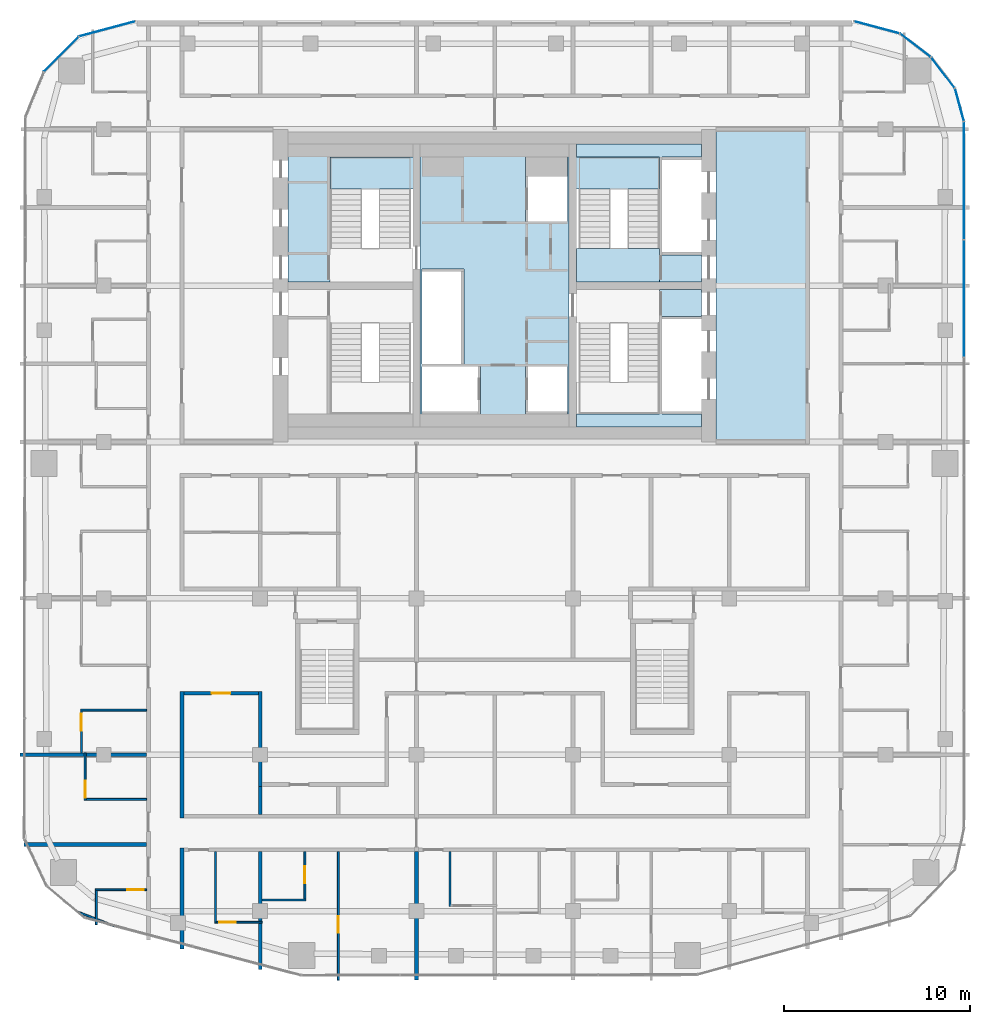
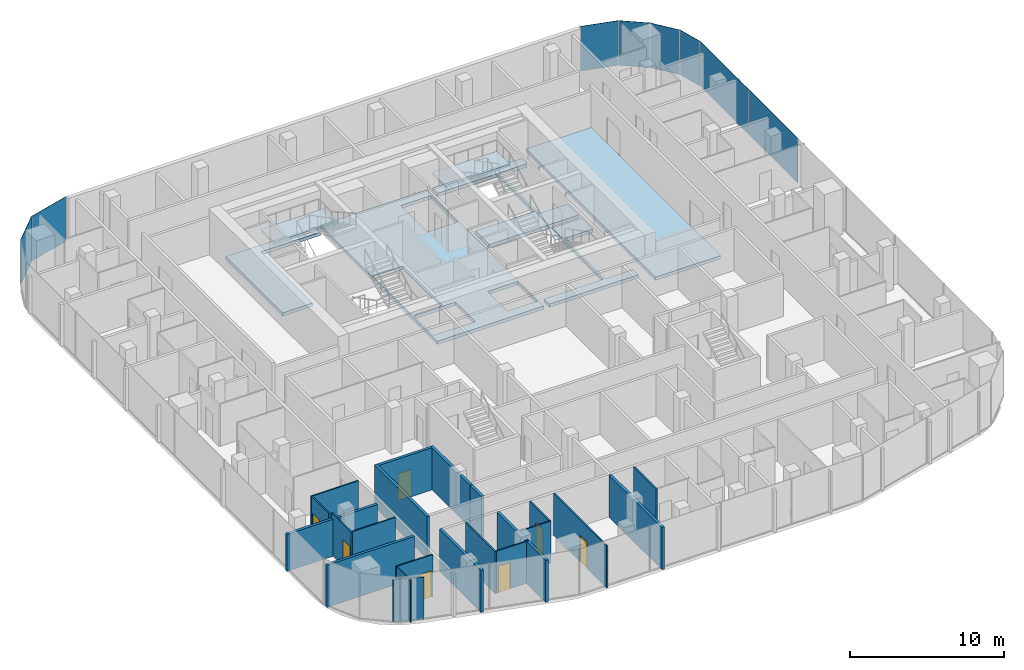
# One storey, part 13 of 22: 22 walls, 8 plates, 8 slabs, 7 doors, 7 openings, 9 elements without a shape of their own.
"""IFC4 building model written with IfcOpenShell, lengths in metres."""

from ifc_helpers import new_model, si_unit, direction, frame, frame_2d, origin, origin_2d, place, context, subcontext, project, spatial, polyline, rectangle, outline, extrude, material, layer, layer_set, type_object, element, fill, aggregate, save


model = new_model("IFC4")

# Units and contexts
model_context = context("Model", 3, precision=1e-05, world=origin(), true_north=direction((0.0, 1.0)))
body_context = subcontext(model_context, "Body", "Model", "MODEL_VIEW")
ifc_project = project(units=[si_unit("LENGTHUNIT", "METRE"), si_unit("AREAUNIT", "SQUARE_METRE"), si_unit("VOLUMEUNIT", "CUBIC_METRE"), si_unit("PLANEANGLEUNIT", "RADIAN"), si_unit("MASSUNIT", "GRAM", prefix="KILO")], contexts=[model_context])

# Site, building, storey
site_placement = place(None, origin())
site = spatial("IfcSite", under=ifc_project, at=site_placement, CompositionType="ELEMENT")
building_placement = place(site_placement, origin())
building = spatial("IfcBuilding", under=site, at=building_placement, Name="Marenta Gate Hotel Tower", CompositionType="ELEMENT")
storey_placement = place(building_placement, frame((0.0, 0.0, 230.89990234375)))
storey = spatial("IfcBuildingStorey", under=building, at=storey_placement, Name="L54", CompositionType="ELEMENT", Elevation=230.89990234375)

# Slabs
ifc_material_1 = material(Name="Concrete C40", Category="concrete")
ifc_layer_1 = layer(ifc_material_1, 0.260009765625)
ifc_layer_set_1 = layer_set([ifc_layer_1], Name="Concrete C40")
slab_type_1 = type_object("IfcSlabType", Name="Core floor slab 260", PredefinedType="FLOOR", material=ifc_layer_set_1)
slab_1_placement = place(storey_placement, frame((0.0, 0.0, -0.260009765625)))
element("IfcSlab", 1, at=slab_1_placement, inside=storey, type_object=slab_type_1, Name="L54-CF-1", PredefinedType="FLOOR", context=body_context, shape_type="SweptSolid", body=[
    extrude(outline(polyline([(11.89990234375, 0.0), (11.89990234375, 16.800048828125), (16.800048828125, 16.800048828125), (16.800048828125, 0.0), (11.89990234375, 0.0)])), origin(), (0.0, 0.0, 1.0), 0.260009765625),
])
slab_2_placement = place(storey_placement, frame((0.0, 0.0, -0.260009765625)))
element("IfcSlab", 2, at=slab_2_placement, inside=storey, type_object=slab_type_1, Name="L54-CF-2", PredefinedType="FLOOR", context=body_context, shape_type="SweptSolid", body=[
    extrude(outline(polyline([(8.85009765625, 1.5), (8.85009765625, 6.39990234375), (8.85009765625, 8.10009765625), (8.85009765625, 8.199951171875), (11.10009765625, 8.199951171875), (11.10009765625, 6.75), (9.0, 6.75), (9.0, 6.60009765625), (9.0, 4.199951171875), (9.0, 4.050048828125), (9.0, 1.64990234375), (9.0, 1.5), (11.10009765625, 1.5), (11.10009765625, 0.800048828125), (4.39990234375, 0.800048828125), (4.39990234375, 1.5), (8.85009765625, 1.5)])), origin(), (0.0, 0.0, 1.0), 0.260009765625),
])
slab_3_placement = place(storey_placement, frame((0.0, 0.0, -0.260009765625)))
element("IfcSlab", 3, at=slab_3_placement, inside=storey, type_object=slab_type_1, Name="L54-CF-3", PredefinedType="FLOOR", context=body_context, shape_type="SweptSolid", body=[
    extrude(outline(polyline([(8.85009765625, 15.300048828125), (4.39990234375, 15.300048828125), (4.39990234375, 16.0), (11.10009765625, 16.0), (11.10009765625, 15.300048828125), (9.0, 15.300048828125), (9.0, 15.14990234375), (9.0, 12.75), (9.0, 12.60009765625), (9.0, 10.199951171875), (9.0, 10.050048828125), (11.10009765625, 10.050048828125), (11.10009765625, 8.60009765625), (8.85009765625, 8.60009765625), (8.85009765625, 8.699951171875), (8.85009765625, 10.39990234375), (8.85009765625, 15.300048828125)])), origin(), (0.0, 0.0, 1.0), 0.260009765625),
])
slab_4_placement = place(storey_placement, frame((0.0, 0.0, -0.260009765625)))
element("IfcSlab", 4, at=slab_4_placement, inside=storey, type_object=slab_type_1, Name="L54-CF-4", PredefinedType="FLOOR", context=body_context, shape_type="SweptSolid", body=[
    extrude(outline(polyline([(4.0, 15.300048828125), (4.0, 10.39990234375), (4.0, 6.39990234375), (4.0, 1.5), (4.0, 0.800048828125), (-4.0, 0.800048828125), (-4.0, 1.5), (-4.0, 6.39990234375), (-4.0, 10.39990234375), (-4.0, 15.300048828125), (-4.0, 16.0), (4.0, 16.0), (4.0, 15.300048828125)]), holes=[polyline([(1.64990234375, 14.25), (1.64990234375, 11.85009765625), (1.800048828125, 11.85009765625), (3.89990234375, 11.85009765625), (3.89990234375, 14.25), (3.89990234375, 15.300048828125), (1.64990234375, 15.300048828125), (1.64990234375, 14.25)]), polyline([(3.89990234375, 1.64990234375), (3.89990234375, 4.050048828125), (1.800048828125, 4.050048828125), (1.64990234375, 4.050048828125), (1.64990234375, 1.64990234375), (1.64990234375, 1.5), (3.89990234375, 1.5), (3.89990234375, 1.64990234375)]), polyline([(-3.89990234375, 1.64990234375), (-3.89990234375, 1.5), (-0.89990234375, 1.5), (-0.75, 1.5), (-0.75, 4.050048828125), (-0.89990234375, 4.050048828125), (-3.89990234375, 4.050048828125), (-3.89990234375, 1.64990234375)]), polyline([(-1.800048828125, 4.199951171875), (-1.64990234375, 4.199951171875), (-1.64990234375, 9.14990234375), (-1.64990234375, 9.300048828125), (-3.89990234375, 9.300048828125), (-3.89990234375, 9.14990234375), (-3.89990234375, 6.75), (-3.89990234375, 6.60009765625), (-3.89990234375, 4.199951171875), (-1.800048828125, 4.199951171875)])]), origin(), (0.0, 0.0, 1.0), 0.260009765625),
])
slab_5_placement = place(storey_placement, frame((0.0, 0.0, -0.260009765625)))
element("IfcSlab", 5, at=slab_5_placement, inside=storey, type_object=slab_type_1, Name="L54-CF-6", PredefinedType="FLOOR", context=body_context, shape_type="SweptSolid", body=[
    extrude(outline(polyline([(-4.39990234375, 15.300048828125), (-8.85009765625, 15.300048828125), (-8.85009765625, 10.39990234375), (-8.85009765625, 8.699951171875), (-8.85009765625, 8.60009765625), (-11.10009765625, 8.60009765625), (-11.10009765625, 16.0), (-4.39990234375, 16.0), (-4.39990234375, 15.300048828125)])), origin(), (0.0, 0.0, 1.0), 0.260009765625),
])

# Stair, slab
ifc_material_2 = material(Name="Concrete C40", Category="concrete")
stair_type = type_object("IfcStairType", Name="Core exit stair 1700 wide", PredefinedType="HALF_TURN_STAIR", material=ifc_material_2)
stair_1_placement = place(storey_placement, origin())
stair_1 = element("IfcStair", 6, at=stair_1_placement, inside=storey, type_object=stair_type, Name="Exit stair 2", PredefinedType="HALF_TURN_STAIR")
ifc_material_3 = material(Name="Concrete C40", Category="concrete")
ifc_layer_2 = layer(ifc_material_3, 0.199951171875)
ifc_layer_set_2 = layer_set([ifc_layer_2], Name="Concrete C40")
slab_type_2 = type_object("IfcSlabType", Name="Core stair landing 200", PredefinedType="LANDING", material=ifc_layer_set_2)
slab_6_placement = place(storey_placement, frame((0.0, 0.0, 1.60009765625)))
slab_6 = element("IfcSlab", 7, at=slab_6_placement, type_object=slab_type_2, Name="SL-200 ST2 landing 1", PredefinedType="LANDING", context=body_context, shape_type="SweptSolid", body=[
    extrude(outline(polyline([(-8.85009765625, 13.590087890625), (-4.0, 13.590087890625), (-4.0, 15.300048828125), (-8.85009765625, 15.300048828125), (-8.85009765625, 13.590087890625)])), origin(), (0.0, 0.0, 1.0), 0.199951171875),
])
aggregate(stair_1, [slab_6])

stair_2_placement = place(storey_placement, origin())
stair_2 = element("IfcStair", 8, at=stair_2_placement, inside=storey, type_object=stair_type, Name="Exit stair 4", PredefinedType="HALF_TURN_STAIR")
slab_7_placement = place(storey_placement, frame((0.0, 0.0, 1.60009765625)))
slab_7 = element("IfcSlab", 9, at=slab_7_placement, type_object=slab_type_2, Name="SL-200 ST4 landing 1", PredefinedType="LANDING", context=body_context, shape_type="SweptSolid", body=[
    extrude(outline(polyline([(4.0, 13.590087890625), (8.85009765625, 13.590087890625), (8.85009765625, 15.300048828125), (4.0, 15.300048828125), (4.0, 13.590087890625)])), origin(), (0.0, 0.0, 1.0), 0.199951171875),
])
aggregate(stair_2, [slab_7])

# Curtain wall, plate
ifc_material_4 = material(Name="Tinted insulated glass in bronze anodised frame", Category="glass")
ifc_layer_3 = layer(ifc_material_4, 0.1201171875)
ifc_layer_set_3 = layer_set([ifc_layer_3], Name="Tinted insulated glass in bronze anodised frame")
curtain_wall_type = type_object("IfcCurtainWallType", Name="Tower unitised curtain wall CW1", PredefinedType="NOTDEFINED", material=ifc_layer_set_3)
curtain_wall_1_placement = place(storey_placement, origin())
curtain_wall_1 = element("IfcCurtainWall", 10, at=curtain_wall_1_placement, inside=storey, type_object=curtain_wall_type, Name="CW1 run G00", PredefinedType="NOTDEFINED")
ifc_material_5 = material(Name="Tinted insulated glass", Category="glass")
ifc_layer_4 = layer(ifc_material_5, 0.028076171875)
ifc_layer_set_4 = layer_set([ifc_layer_4], Name="Tinted insulated glass")
plate_type = type_object("IfcPlateType", Name="Glass panel CW1 28 mm tinted insulated unit", PredefinedType="CURTAIN_PANEL", material=ifc_layer_set_4)
plate_1_placement = place(storey_placement, frame((-20.813720703125, 22.19384765625, 0.06005859375), z_axis=(0.0, 0.0, 1.0), x_axis=(-0.965930559685, -0.258801379183, 0.0)))
plate_1 = element("IfcPlate", 11, at=plate_1_placement, type_object=plate_type, Name="CW1 panel 1.1", PredefinedType="CURTAIN_PANEL", context=body_context, shape_type="SweptSolid", body=[
    extrude(rectangle(XDim=3.104248046875, YDim=0.028076171875, at=origin_2d()), origin(), (0.0, 0.0, 1.0), 3.5400390625),
])
aggregate(curtain_wall_1, [plate_1])

curtain_wall_2_placement = place(storey_placement, origin())
curtain_wall_2 = element("IfcCurtainWall", 12, at=curtain_wall_2_placement, inside=storey, type_object=curtain_wall_type, Name="CW1 run G01", PredefinedType="NOTDEFINED")
plate_2_placement = place(storey_placement, frame((-23.279541015625, 20.825439453125, 0.06005859375), z_axis=(0.0, 0.0, 1.0), x_axis=(-0.707106781187, -0.707106781187, 0.0)))
plate_2 = element("IfcPlate", 13, at=plate_2_placement, type_object=plate_type, Name="CW1 panel 1.1", PredefinedType="CURTAIN_PANEL", context=body_context, shape_type="SweptSolid", body=[
    extrude(rectangle(XDim=2.614013671875, YDim=0.028076171875, at=origin_2d()), origin(), (0.0, 0.0, 1.0), 3.5400390625),
])
aggregate(curtain_wall_2, [plate_2])

# Curtain wall, plates
curtain_wall_3_placement = place(storey_placement, origin())
curtain_wall_3 = element("IfcCurtainWall", 14, at=curtain_wall_3_placement, inside=storey, type_object=curtain_wall_type, Name="CW1 run G11", PredefinedType="NOTDEFINED")
plate_3_placement = place(storey_placement, frame((25.214111328125, 7.7080078125, 0.06005859375), z_axis=(0.0, 0.0, 1.0), x_axis=(0.0, 1.0, 0.0)))
plate_3 = element("IfcPlate", 15, at=plate_3_placement, type_object=plate_type, Name="CW1 panel 5.1", PredefinedType="CURTAIN_PANEL", context=body_context, shape_type="SweptSolid", body=[
    extrude(rectangle(XDim=6.2626953125, YDim=0.028076171875, at=origin_2d()), origin(), (0.0, 0.0, 1.0), 3.5400390625),
])
plate_4_placement = place(storey_placement, frame((25.214111328125, 14.045654296875, 0.06005859375), z_axis=(0.0, 0.0, 1.0), x_axis=(0.0, 1.0, 0.0)))
plate_4 = element("IfcPlate", 16, at=plate_4_placement, type_object=plate_type, Name="CW1 panel 6.1", PredefinedType="CURTAIN_PANEL", context=body_context, shape_type="SweptSolid", body=[
    extrude(rectangle(XDim=6.29248046875, YDim=0.028076171875, at=origin_2d()), origin(), (0.0, 0.0, 1.0), 3.5400390625),
])
aggregate(curtain_wall_3, [plate_3, plate_4])

# Curtain wall, plate
curtain_wall_4_placement = place(storey_placement, origin())
curtain_wall_4 = element("IfcCurtainWall", 17, at=curtain_wall_4_placement, inside=storey, type_object=curtain_wall_type, Name="CW1 run G12", PredefinedType="NOTDEFINED")
plate_5_placement = place(storey_placement, frame((24.96630859375, 18.1162109375, 0.06005859375), z_axis=(0.0, 0.0, 1.0), x_axis=(-0.258824166754, 0.965924453932, 0.0)))
plate_5 = element("IfcPlate", 18, at=plate_5_placement, type_object=plate_type, Name="CW1 panel 1.1", PredefinedType="CURTAIN_PANEL", context=body_context, shape_type="SweptSolid", body=[
    extrude(rectangle(XDim=1.793701171875, YDim=0.028076171875, at=origin_2d()), origin(), (0.0, 0.0, 1.0), 3.5400390625),
])
aggregate(curtain_wall_4, [plate_5])

curtain_wall_5_placement = place(storey_placement, origin())
curtain_wall_5 = element("IfcCurtainWall", 19, at=curtain_wall_5_placement, inside=storey, type_object=curtain_wall_type, Name="CW1 run G13", PredefinedType="NOTDEFINED")
plate_6_placement = place(storey_placement, frame((24.0751953125, 19.84130859375, 0.06005859375), z_axis=(0.0, 0.0, 1.0), x_axis=(-0.608787499222, 0.793333335233, 0.0)))
plate_6 = element("IfcPlate", 20, at=plate_6_placement, type_object=plate_type, Name="CW1 panel 1.1", PredefinedType="CURTAIN_PANEL", context=body_context, shape_type="SweptSolid", body=[
    extrude(rectangle(XDim=2.045166015625, YDim=0.028076171875, at=origin_2d()), origin(), (0.0, 0.0, 1.0), 3.5400390625),
])
aggregate(curtain_wall_5, [plate_6])

curtain_wall_6_placement = place(storey_placement, origin())
curtain_wall_6 = element("IfcCurtainWall", 21, at=curtain_wall_6_placement, inside=storey, type_object=curtain_wall_type, Name="CW1 run G14", PredefinedType="NOTDEFINED")
plate_7_placement = place(storey_placement, frame((22.59375, 21.311767578125, 0.06005859375), z_axis=(0.0, 0.0, 1.0), x_axis=(-0.793333335233, 0.608787499222, 0.0)))
plate_7 = element("IfcPlate", 22, at=plate_7_placement, type_object=plate_type, Name="CW1 panel 1.1", PredefinedType="CURTAIN_PANEL", context=body_context, shape_type="SweptSolid", body=[
    extrude(rectangle(XDim=2.045166015625, YDim=0.028076171875, at=origin_2d()), origin(), (0.0, 0.0, 1.0), 3.5400390625),
])
aggregate(curtain_wall_6, [plate_7])

curtain_wall_7_placement = place(storey_placement, origin())
curtain_wall_7 = element("IfcCurtainWall", 23, at=curtain_wall_7_placement, inside=storey, type_object=curtain_wall_type, Name="CW1 run G15", PredefinedType="NOTDEFINED")
plate_8_placement = place(storey_placement, frame((20.51953125, 22.272705078125, 0.06005859375), z_axis=(0.0, 0.0, 1.0), x_axis=(-0.96592961764, 0.258804895175, 0.0)))
plate_8 = element("IfcPlate", 24, at=plate_8_placement, type_object=plate_type, Name="CW1 panel 1.1", PredefinedType="CURTAIN_PANEL", context=body_context, shape_type="SweptSolid", body=[
    extrude(rectangle(XDim=2.4951171875, YDim=0.028076171875, at=origin_2d()), origin(), (0.0, 0.0, 1.0), 3.5400390625),
])
aggregate(curtain_wall_7, [plate_8])

# Slab
ifc_material_6 = material(Name="Concrete C40", Category="concrete")
ifc_layer_5 = layer(ifc_material_6, 0.300048828125)
ifc_layer_set_5 = layer_set([ifc_layer_5], Name="Concrete C40")
slab_type_3 = type_object("IfcSlabType", Name="Stair floor landing slab 300", PredefinedType="FLOOR", material=ifc_layer_set_5)
slab_8_placement = place(storey_placement, frame((0.0, 0.0, -0.2998046875)))
element("IfcSlab", 25, at=slab_8_placement, inside=storey, type_object=slab_type_3, Name="L54-CL-ST4-1", PredefinedType="FLOOR", context=body_context, shape_type="SweptSolid", body=[
    extrude(outline(polyline([(4.39990234375, 8.60009765625), (4.39990234375, 10.39990234375), (8.85009765625, 10.39990234375), (8.85009765625, 8.699951171875), (8.85009765625, 8.60009765625), (4.39990234375, 8.60009765625)])), origin(), (0.0, 0.0, 1.0), 0.2998046875),
])

# Wall
ifc_material_7 = material(Name="Concrete blockwork", Category="masonry")
ifc_layer_6 = layer(ifc_material_7, 0.199951171875)
ifc_layer_set_6 = layer_set([ifc_layer_6], Name="Concrete blockwork")
wall_type_1 = type_object("IfcWallType", Name="Compartment wall 200 REI 180", PredefinedType="PARTITIONING", material=ifc_layer_set_6)
wall_1_placement = place(storey_placement, frame((-4.199951171875, -28.89990234375, 0.0), z_axis=(0.0, 0.0, 1.0), x_axis=(0.0, 1.0, 0.0)))
element("IfcWall", 26, at=wall_1_placement, inside=storey, type_object=wall_type_1, Name="L54-PTN-W078", PredefinedType="PARTITIONING", context=body_context, shape_type="SweptSolid", body=[
    extrude(rectangle(XDim=6.89990234375, YDim=0.199951171875, at=frame_2d((3.449951171875, 0.0))), origin(), (0.0, 0.0, 1.0), 3.340087890625),
])

# Wall, opening, door
ifc_material_8 = material(Name="Gypsum board on steel stud", Category="steel")
ifc_layer_7 = layer(ifc_material_8, 0.199951171875)
ifc_layer_set_7 = layer_set([ifc_layer_7], Name="Gypsum board on steel stud")
wall_type_2 = type_object("IfcWallType", Name="Room corridor wall 200 EI 60", PredefinedType="PARTITIONING", material=ifc_layer_set_7)
wall_2_placement = place(storey_placement, frame((-16.699951171875, -13.5, 0.0), z_axis=(0.0, 0.0, 1.0), x_axis=(1.0, 0.0, 0.0)))
wall_2 = element("IfcWall", 27, at=wall_2_placement, inside=storey, type_object=wall_type_2, Name="L54-PTN-W035", PredefinedType="PARTITIONING", context=body_context, shape_type="SweptSolid", body=[
    extrude(rectangle(XDim=4.0, YDim=0.199951171875, at=frame_2d((2.0, 0.0))), origin(), (0.0, 0.0, 1.0), 3.340087890625),
])
opening_1_placement = place(wall_2_placement, frame((1.5, 0.0, 0.0)))
opening_1 = element("IfcOpeningElement", 28, at=opening_1_placement, cuts=wall_2, Name="Opening G20-10", PredefinedType="OPENING", context=body_context, shape_type="SweptSolid", body=[
    extrude(rectangle(XDim=1.0, YDim=2.10009765625, at=frame_2d((0.5, 1.050048828125))), frame((0.0, 0.10009765625, 0.0), z_axis=(0.0, -1.0, 0.0), x_axis=(1.0, 0.0, 0.0)), (0.0, 0.0, 1.0), 0.199951171875),
])
ifc_material_9 = material(Name="Timber door leaf", Category="wood")
door_type_1 = type_object("IfcDoorType", Name="Room amenity door 1000x2100 EI 30", OperationType="NOTDEFINED", PredefinedType="DOOR", material=ifc_material_9)
door_1_placement = place(opening_1_placement, origin())
door_1 = element("IfcDoor", 29, at=door_1_placement, inside=storey, type_object=door_type_1, Name="L54-PD-D010", OperationType="SINGLE_SWING_RIGHT", OverallHeight=2.10009765625, OverallWidth=1.0, PredefinedType="DOOR", context=body_context, shape_type="SweptSolid", body=[
    extrude(rectangle(XDim=1.0, YDim=2.10009765625, at=frame_2d((0.5, 1.050048828125))), frame((0.0, 0.02490234375, 0.0), z_axis=(0.0, -1.0, 0.0), x_axis=(1.0, 0.0, 0.0)), (0.0, 0.0, 1.0), 0.050048828125),
])
fill(opening_1, door_1)

# Walls
wall_3_placement = place(storey_placement, frame((-12.60009765625, -18.5, 0.0), z_axis=(0.0, 0.0, 1.0), x_axis=(0.0, 1.0, 0.0)))
element("IfcWall", 30, at=wall_3_placement, inside=storey, type_object=wall_type_2, Name="L54-PTN-W101", PredefinedType="PARTITIONING", context=body_context, shape_type="SweptSolid", body=[
    extrude(rectangle(XDim=5.10009765625, YDim=0.199951171875, at=frame_2d((2.550048828125, 0.0))), origin(), (0.0, 0.0, 1.0), 3.340087890625),
])
wall_4_placement = place(storey_placement, frame((-16.800048828125, -27.22900390625, 0.0), z_axis=(0.0, 0.0, 1.0), x_axis=(0.0, 1.0, 0.0)))
element("IfcWall", 31, at=wall_4_placement, inside=storey, type_object=wall_type_2, Name="L54-PTN-W107", PredefinedType="PARTITIONING", context=body_context, shape_type="SweptSolid", body=[
    extrude(rectangle(XDim=5.428955078125, YDim=0.199951171875, at=frame_2d((2.71435546875, 0.0))), origin(), (0.0, 0.0, 1.0), 3.340087890625),
])
wall_5_placement = place(storey_placement, frame((-16.800048828125, -20.199951171875, 0.0), z_axis=(0.0, 0.0, 1.0), x_axis=(0.0, 1.0, 0.0)))
element("IfcWall", 32, at=wall_5_placement, inside=storey, type_object=wall_type_2, Name="L54-PTN-W108", PredefinedType="PARTITIONING", context=body_context, shape_type="SweptSolid", body=[
    extrude(rectangle(XDim=6.800048828125, YDim=0.199951171875, at=frame_2d((3.39990234375, 0.0))), origin(), (0.0, 0.0, 1.0), 3.340087890625),
])
ifc_material_10 = material(Name="Gypsum board on steel stud", Category="steel")
ifc_layer_8 = layer(ifc_material_10, 0.10009765625)
ifc_layer_set_8 = layer_set([ifc_layer_8], Name="Gypsum board on steel stud")
wall_type_3 = type_object("IfcWallType", Name="Room partition 100", PredefinedType="PARTITIONING", material=ifc_layer_set_8)
wall_6_placement = place(storey_placement, frame((-22.385986328125, -25.2470703125, 0.0), z_axis=(0.0, 0.0, 1.0), x_axis=(0.932741240306, -0.360546499959, 0.0)))
element("IfcWall", 33, at=wall_6_placement, inside=storey, type_object=wall_type_3, Name="L54-PTN-W001", PredefinedType="PARTITIONING", context=body_context, shape_type="SweptSolid", body=[
    extrude(rectangle(XDim=2.06591796875, YDim=0.10009765625, at=frame_2d((1.032958984375, 0.0))), origin(), (0.0, 0.0, 1.0), 3.340087890625),
])

# Wall, opening, door
wall_7_placement = place(storey_placement, frame((-14.949951171875, -25.800048828125, 0.0), z_axis=(0.0, 0.0, 1.0), x_axis=(1.0, 0.0, 0.0)))
wall_7 = element("IfcWall", 34, at=wall_7_placement, inside=storey, type_object=wall_type_3, Name="L54-PTN-W002", PredefinedType="PARTITIONING", context=body_context, shape_type="SweptSolid", body=[
    extrude(rectangle(XDim=2.449951171875, YDim=0.10009765625, at=frame_2d((1.22509765625, 0.0))), origin(), (0.0, 0.0, 1.0), 3.340087890625),
])
opening_2_placement = place(wall_7_placement, frame((0.14990234375, 0.0, 0.0)))
opening_2 = element("IfcOpeningElement", 35, at=opening_2_placement, cuts=wall_7, Name="Opening G20-39", PredefinedType="OPENING", context=body_context, shape_type="SweptSolid", body=[
    extrude(rectangle(XDim=0.89990234375, YDim=2.10009765625, at=frame_2d((0.449951171875, 1.050048828125))), frame((0.0, 0.050048828125, 0.0), z_axis=(0.0, -1.0, 0.0), x_axis=(1.0, 0.0, 0.0)), (0.0, 0.0, 1.0), 0.10009765625),
])
ifc_material_11 = material(Name="Timber door leaf", Category="wood")
door_type_2 = type_object("IfcDoorType", Name="Guest bathroom door 900x2100", OperationType="NOTDEFINED", PredefinedType="DOOR", material=ifc_material_11)
door_2_placement = place(opening_2_placement, origin())
door_2 = element("IfcDoor", 36, at=door_2_placement, inside=storey, type_object=door_type_2, Name="L54-PD-D039", OperationType="SINGLE_SWING_LEFT", OverallHeight=2.10009765625, OverallWidth=0.89990234375, PredefinedType="DOOR", context=body_context, shape_type="SweptSolid", body=[
    extrude(rectangle(XDim=0.89990234375, YDim=2.10009765625, at=frame_2d((0.449951171875, 1.050048828125))), frame((0.0, 0.02490234375, 0.0), z_axis=(0.0, -1.0, 0.0), x_axis=(1.0, 0.0, 0.0)), (0.0, 0.0, 1.0), 0.050048828125),
])
fill(opening_2, door_2)

# Wall
wall_8_placement = place(storey_placement, frame((-12.5, -24.60009765625, 0.0), z_axis=(0.0, 0.0, 1.0), x_axis=(1.0, 0.0, 0.0)))
element("IfcWall", 37, at=wall_8_placement, inside=storey, type_object=wall_type_3, Name="L54-PTN-W006", PredefinedType="PARTITIONING", context=body_context, shape_type="SweptSolid", body=[
    extrude(rectangle(XDim=2.35009765625, YDim=0.10009765625, at=frame_2d((1.175048828125, 0.0))), origin(), (0.0, 0.0, 1.0), 3.340087890625),
])

# Wall, opening, door
wall_9_placement = place(storey_placement, frame((-21.449951171875, -24.051025390625, 0.0), z_axis=(0.0, 0.0, 1.0), x_axis=(1.0, 0.0, 0.0)))
wall_9 = element("IfcWall", 38, at=wall_9_placement, inside=storey, type_object=wall_type_3, Name="L54-PTN-W008", PredefinedType="PARTITIONING", context=body_context, shape_type="SweptSolid", body=[
    extrude(rectangle(XDim=2.75, YDim=0.10009765625, at=frame_2d((1.375, 0.0))), origin(), (0.0, 0.0, 1.0), 3.340087890625),
])
opening_3_placement = place(wall_9_placement, frame((1.7099609375, 0.0, 0.0)))
opening_3 = element("IfcOpeningElement", 39, at=opening_3_placement, cuts=wall_9, Name="Opening G20-53", PredefinedType="OPENING", context=body_context, shape_type="SweptSolid", body=[
    extrude(rectangle(XDim=0.89990234375, YDim=2.10009765625, at=frame_2d((0.449951171875, 1.050048828125))), frame((0.0, 0.050048828125, 0.0), z_axis=(0.0, -1.0, 0.0), x_axis=(1.0, 0.0, 0.0)), (0.0, 0.0, 1.0), 0.10009765625),
])
door_3_placement = place(opening_3_placement, origin())
door_3 = element("IfcDoor", 40, at=door_3_placement, inside=storey, type_object=door_type_2, Name="L54-PD-D053", OperationType="SINGLE_SWING_LEFT", OverallHeight=2.10009765625, OverallWidth=0.89990234375, PredefinedType="DOOR", context=body_context, shape_type="SweptSolid", body=[
    extrude(rectangle(XDim=0.89990234375, YDim=2.10009765625, at=frame_2d((0.449951171875, 1.050048828125))), frame((0.0, 0.02490234375, 0.0), z_axis=(0.0, -1.0, 0.0), x_axis=(1.0, 0.0, 0.0)), (0.0, 0.0, 1.0), 0.050048828125),
])
fill(opening_3, door_3)

# Walls
wall_10_placement = place(storey_placement, frame((-21.949951171875, -19.199951171875, 0.0), z_axis=(0.0, 0.0, 1.0), x_axis=(1.0, 0.0, 0.0)))
element("IfcWall", 41, at=wall_10_placement, inside=storey, type_object=wall_type_3, Name="L54-PTN-W022", PredefinedType="PARTITIONING", context=body_context, shape_type="SweptSolid", body=[
    extrude(rectangle(XDim=3.25, YDim=0.10009765625, at=frame_2d((1.625, 0.0))), origin(), (0.0, 0.0, 1.0), 3.340087890625),
])
wall_11_placement = place(storey_placement, frame((-22.25, -14.39990234375, 0.0), z_axis=(0.0, 0.0, 1.0), x_axis=(1.0, 0.0, 0.0)))
element("IfcWall", 42, at=wall_11_placement, inside=storey, type_object=wall_type_3, Name="L54-PTN-W033", PredefinedType="PARTITIONING", context=body_context, shape_type="SweptSolid", body=[
    extrude(rectangle(XDim=3.550048828125, YDim=0.10009765625, at=frame_2d((1.77490234375, 0.0))), origin(), (0.0, 0.0, 1.0), 3.340087890625),
])
wall_12_placement = place(storey_placement, frame((-2.39990234375, -24.949951171875, 0.0), z_axis=(0.0, 0.0, 1.0), x_axis=(0.0, 1.0, 0.0)))
element("IfcWall", 43, at=wall_12_placement, inside=storey, type_object=wall_type_3, Name="L54-PTN-W077", PredefinedType="PARTITIONING", context=body_context, shape_type="SweptSolid", body=[
    extrude(rectangle(XDim=2.949951171875, YDim=0.10009765625, at=frame_2d((1.47509765625, 0.0))), origin(), (0.0, 0.0, 1.0), 3.340087890625),
])

# Wall, opening, door
wall_13_placement = place(storey_placement, frame((-8.39990234375, -28.89990234375, 0.0), z_axis=(0.0, 0.0, 1.0), x_axis=(0.0, 1.0, 0.0)))
wall_13 = element("IfcWall", 44, at=wall_13_placement, inside=storey, type_object=wall_type_3, Name="L54-PTN-W088", PredefinedType="PARTITIONING", context=body_context, shape_type="SweptSolid", body=[
    extrude(rectangle(XDim=6.89990234375, YDim=0.10009765625, at=frame_2d((3.449951171875, 0.0))), origin(), (0.0, 0.0, 1.0), 3.340087890625),
])
opening_4_placement = place(wall_13_placement, frame((2.530029296875, 0.0, 0.0)))
opening_4 = element("IfcOpeningElement", 45, at=opening_4_placement, cuts=wall_13, Name="Opening G20-41", PredefinedType="OPENING", context=body_context, shape_type="SweptSolid", body=[
    extrude(rectangle(XDim=0.89990234375, YDim=2.10009765625, at=frame_2d((0.449951171875, 1.050048828125))), frame((0.0, 0.050048828125, 0.0), z_axis=(0.0, -1.0, 0.0), x_axis=(1.0, 0.0, 0.0)), (0.0, 0.0, 1.0), 0.10009765625),
])
ifc_material_12 = material(Name="Timber door leaf", Category="wood")
door_type_3 = type_object("IfcDoorType", Name="Room inner door 900x2100", OperationType="NOTDEFINED", PredefinedType="DOOR", material=ifc_material_12)
door_4_placement = place(opening_4_placement, origin())
door_4 = element("IfcDoor", 46, at=door_4_placement, inside=storey, type_object=door_type_3, Name="L54-PD-D041", OperationType="SINGLE_SWING_LEFT", OverallHeight=2.10009765625, OverallWidth=0.89990234375, PredefinedType="DOOR", context=body_context, shape_type="SweptSolid", body=[
    extrude(rectangle(XDim=0.89990234375, YDim=2.10009765625, at=frame_2d((0.449951171875, 1.050048828125))), frame((0.0, 0.02490234375, 0.0), z_axis=(0.0, -1.0, 0.0), x_axis=(1.0, 0.0, 0.0)), (0.0, 0.0, 1.0), 0.050048828125),
])
fill(opening_4, door_4)

wall_14_placement = place(storey_placement, frame((-10.199951171875, -24.550048828125, 0.0), z_axis=(0.0, 0.0, 1.0), x_axis=(0.0, 1.0, 0.0)))
wall_14 = element("IfcWall", 47, at=wall_14_placement, inside=storey, type_object=wall_type_3, Name="L54-PTN-W093", PredefinedType="PARTITIONING", context=body_context, shape_type="SweptSolid", body=[
    extrude(rectangle(XDim=2.550048828125, YDim=0.10009765625, at=frame_2d((1.27490234375, 0.0))), origin(), (0.0, 0.0, 1.0), 3.340087890625),
])
opening_5_placement = place(wall_14_placement, frame((0.85009765625, 0.0, 0.0)))
opening_5 = element("IfcOpeningElement", 48, at=opening_5_placement, cuts=wall_14, Name="Opening G20-42", PredefinedType="OPENING", context=body_context, shape_type="SweptSolid", body=[
    extrude(rectangle(XDim=0.89990234375, YDim=2.10009765625, at=frame_2d((0.449951171875, 1.050048828125))), frame((0.0, 0.050048828125, 0.0), z_axis=(0.0, -1.0, 0.0), x_axis=(1.0, 0.0, 0.0)), (0.0, 0.0, 1.0), 0.10009765625),
])
door_5_placement = place(opening_5_placement, origin())
door_5 = element("IfcDoor", 49, at=door_5_placement, inside=storey, type_object=door_type_2, Name="L54-PD-D042", OperationType="SINGLE_SWING_RIGHT", OverallHeight=2.10009765625, OverallWidth=0.89990234375, PredefinedType="DOOR", context=body_context, shape_type="SweptSolid", body=[
    extrude(rectangle(XDim=0.89990234375, YDim=2.10009765625, at=frame_2d((0.449951171875, 1.050048828125))), frame((0.0, 0.02490234375, 0.0), z_axis=(0.0, -1.0, 0.0), x_axis=(1.0, 0.0, 0.0)), (0.0, 0.0, 1.0), 0.050048828125),
])
fill(opening_5, door_5)

# Walls
wall_15_placement = place(storey_placement, frame((-15.0, -25.85009765625, 0.0), z_axis=(0.0, 0.0, 1.0), x_axis=(0.0, 1.0, 0.0)))
element("IfcWall", 50, at=wall_15_placement, inside=storey, type_object=wall_type_3, Name="L54-PTN-W106", PredefinedType="PARTITIONING", context=body_context, shape_type="SweptSolid", body=[
    extrude(rectangle(XDim=3.85009765625, YDim=0.10009765625, at=frame_2d((1.925048828125, 0.0))), origin(), (0.0, 0.0, 1.0), 3.340087890625),
])
wall_16_placement = place(storey_placement, frame((-21.39990234375, -25.927978515625, 0.0), z_axis=(0.0, 0.0, 1.0), x_axis=(0.0, 1.0, 0.0)))
element("IfcWall", 51, at=wall_16_placement, inside=storey, type_object=wall_type_3, Name="L54-PTN-W117", PredefinedType="PARTITIONING", context=body_context, shape_type="SweptSolid", body=[
    extrude(rectangle(XDim=1.826904296875, YDim=0.10009765625, at=frame_2d((0.91357421875, 0.0))), origin(), (0.0, 0.0, 1.0), 3.340087890625),
])

# Wall, opening, door
wall_17_placement = place(storey_placement, frame((-22.0, -19.25, 0.0), z_axis=(0.0, 0.0, 1.0), x_axis=(0.0, 1.0, 0.0)))
wall_17 = element("IfcWall", 52, at=wall_17_placement, inside=storey, type_object=wall_type_3, Name="L54-PTN-W123", PredefinedType="PARTITIONING", context=body_context, shape_type="SweptSolid", body=[
    extrude(rectangle(XDim=2.550048828125, YDim=0.10009765625, at=frame_2d((1.27490234375, 0.0))), origin(), (0.0, 0.0, 1.0), 3.340087890625),
])
opening_6_placement = place(wall_17_placement, frame((0.14990234375, 0.0, 0.0)))
opening_6 = element("IfcOpeningElement", 53, at=opening_6_placement, cuts=wall_17, Name="Opening G20-55", PredefinedType="OPENING", context=body_context, shape_type="SweptSolid", body=[
    extrude(rectangle(XDim=0.89990234375, YDim=2.10009765625, at=frame_2d((0.449951171875, 1.050048828125))), frame((0.0, 0.050048828125, 0.0), z_axis=(0.0, -1.0, 0.0), x_axis=(1.0, 0.0, 0.0)), (0.0, 0.0, 1.0), 0.10009765625),
])
door_6_placement = place(opening_6_placement, origin())
door_6 = element("IfcDoor", 54, at=door_6_placement, inside=storey, type_object=door_type_2, Name="L54-PD-D055", OperationType="SINGLE_SWING_RIGHT", OverallHeight=2.10009765625, OverallWidth=0.89990234375, PredefinedType="DOOR", context=body_context, shape_type="SweptSolid", body=[
    extrude(rectangle(XDim=0.89990234375, YDim=2.10009765625, at=frame_2d((0.449951171875, 1.050048828125))), frame((0.0, 0.02490234375, 0.0), z_axis=(0.0, -1.0, 0.0), x_axis=(1.0, 0.0, 0.0)), (0.0, 0.0, 1.0), 0.050048828125),
])
fill(opening_6, door_6)

wall_18_placement = place(storey_placement, frame((-22.199951171875, -16.699951171875, 0.0), z_axis=(0.0, 0.0, 1.0), x_axis=(0.0, 1.0, 0.0)))
wall_18 = element("IfcWall", 55, at=wall_18_placement, inside=storey, type_object=wall_type_3, Name="L54-PTN-W124", PredefinedType="PARTITIONING", context=body_context, shape_type="SweptSolid", body=[
    extrude(rectangle(XDim=2.25, YDim=0.10009765625, at=frame_2d((1.125, 0.0))), origin(), (0.0, 0.0, 1.0), 3.340087890625),
])
opening_7_placement = place(wall_18_placement, frame((1.199951171875, 0.0, 0.0)))
opening_7 = element("IfcOpeningElement", 56, at=opening_7_placement, cuts=wall_18, Name="Opening G20-58", PredefinedType="OPENING", context=body_context, shape_type="SweptSolid", body=[
    extrude(rectangle(XDim=0.89990234375, YDim=2.10009765625, at=frame_2d((0.449951171875, 1.050048828125))), frame((0.0, 0.050048828125, 0.0), z_axis=(0.0, -1.0, 0.0), x_axis=(1.0, 0.0, 0.0)), (0.0, 0.0, 1.0), 0.10009765625),
])
door_7_placement = place(opening_7_placement, origin())
door_7 = element("IfcDoor", 57, at=door_7_placement, inside=storey, type_object=door_type_3, Name="L54-PD-D058", OperationType="SINGLE_SWING_LEFT", OverallHeight=2.10009765625, OverallWidth=0.89990234375, PredefinedType="DOOR", context=body_context, shape_type="SweptSolid", body=[
    extrude(rectangle(XDim=0.89990234375, YDim=2.10009765625, at=frame_2d((0.449951171875, 1.050048828125))), frame((0.0, 0.02490234375, 0.0), z_axis=(0.0, -1.0, 0.0), x_axis=(1.0, 0.0, 0.0)), (0.0, 0.0, 1.0), 0.050048828125),
])
fill(opening_7, door_7)

# Walls
ifc_material_13 = material(Name="Gypsum board on steel stud", Category="steel")
ifc_layer_9 = layer(ifc_material_13, 0.199951171875)
ifc_layer_set_9 = layer_set([ifc_layer_9], Name="Gypsum board on steel stud")
wall_type_4 = type_object("IfcWallType", Name="Room party wall 200 EI 60", PredefinedType="PARTITIONING", material=ifc_layer_set_9)
wall_19_placement = place(storey_placement, frame((-25.27587890625, -21.625, 0.0), z_axis=(0.0, 0.0, 1.0), x_axis=(1.0, 0.0, 0.0)))
element("IfcWall", 58, at=wall_19_placement, inside=storey, type_object=wall_type_4, Name="L54-PTN-W016", PredefinedType="PARTITIONING", context=body_context, shape_type="SweptSolid", body=[
    extrude(rectangle(XDim=6.575927734375, YDim=0.199951171875, at=frame_2d((3.2880859375, 0.0))), origin(), (0.0, 0.0, 1.0), 3.340087890625),
])
wall_20_placement = place(storey_placement, frame((-25.5, -16.800048828125, 0.0), z_axis=(0.0, 0.0, 1.0), x_axis=(1.0, 0.0, 0.0)))
element("IfcWall", 59, at=wall_20_placement, inside=storey, type_object=wall_type_4, Name="L54-PTN-W030", PredefinedType="PARTITIONING", context=body_context, shape_type="SweptSolid", body=[
    extrude(rectangle(XDim=6.800048828125, YDim=0.199951171875, at=frame_2d((3.39990234375, 0.0))), origin(), (0.0, 0.0, 1.0), 2.940185546875),
])
wall_21_placement = place(storey_placement, frame((-12.60009765625, -28.343017578125, 0.0), z_axis=(0.0, 0.0, 1.0), x_axis=(0.0, 1.0, 0.0)))
element("IfcWall", 60, at=wall_21_placement, inside=storey, type_object=wall_type_4, Name="L54-PTN-W097", PredefinedType="PARTITIONING", context=body_context, shape_type="SweptSolid", body=[
    extrude(rectangle(XDim=6.343017578125, YDim=0.199951171875, at=frame_2d((3.17138671875, 0.0))), origin(), (0.0, 0.0, 1.0), 3.340087890625),
])
wall_22_placement = place(storey_placement, frame((-12.60009765625, -20.0, 0.0), z_axis=(0.0, 0.0, 1.0), x_axis=(0.0, 1.0, 0.0)))
element("IfcWall", 61, at=wall_22_placement, inside=storey, type_object=wall_type_4, Name="L54-PTN-W098", PredefinedType="PARTITIONING", context=body_context, shape_type="SweptSolid", body=[
    extrude(rectangle(XDim=1.5, YDim=0.199951171875, at=frame_2d((0.75, 0.0))), origin(), (0.0, 0.0, 1.0), 3.340087890625),
])

save(model, "model.ifc")
